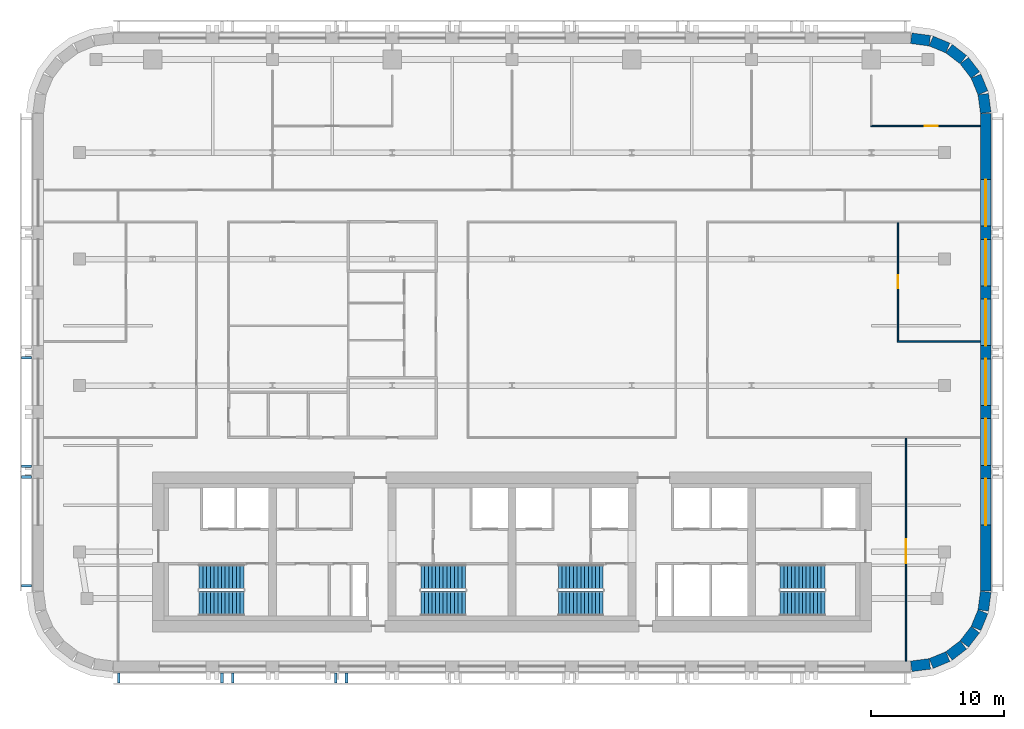
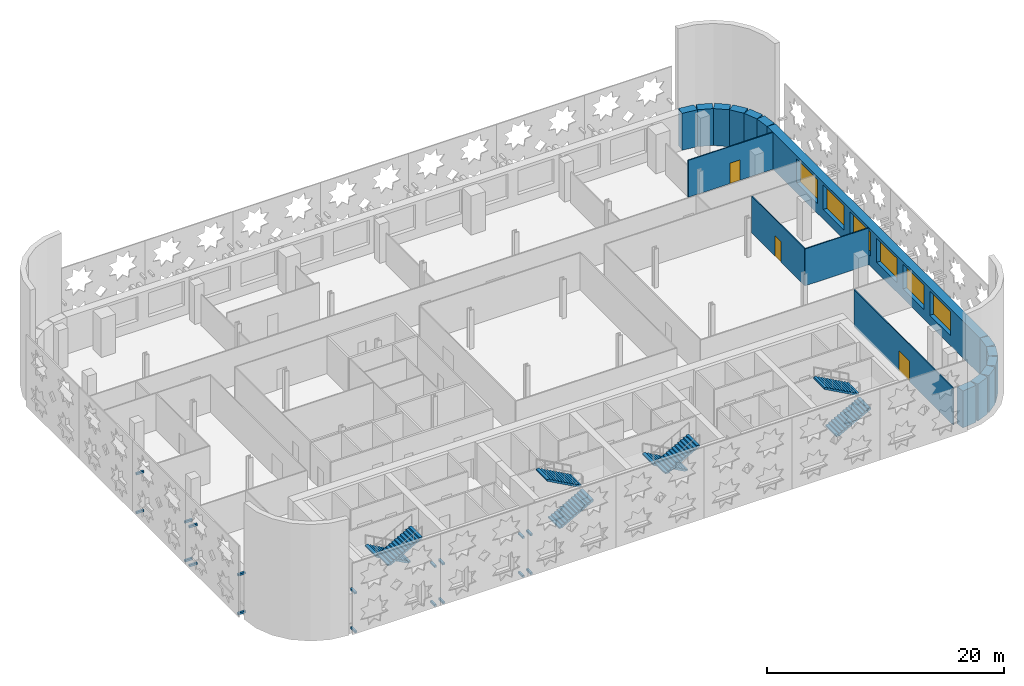
# One storey, part 8 of 14: 18 discrete accessories, 17 walls, 8 stair flights, 6 windows, 3 doors, 9 openings, 4 elements without a shape of their own.
"""IFC4 building model written with IfcOpenShell, lengths in metres."""

from ifc_helpers import new_model, si_unit, direction, frame, frame_2d, origin, origin_2d, place, context, subcontext, project, spatial, polyline, rectangle, outline, extrude, material, layer, layer_set, type_object, element, fill, aggregate, save


model = new_model("IFC4")

# Units and contexts
model_context = context("Model", 3, precision=1e-05, world=origin(), true_north=direction((0.0, 1.0)))
body_context = subcontext(model_context, "Body", "Model", "MODEL_VIEW")
ifc_project = project(units=[si_unit("LENGTHUNIT", "METRE"), si_unit("AREAUNIT", "SQUARE_METRE"), si_unit("VOLUMEUNIT", "CUBIC_METRE"), si_unit("PLANEANGLEUNIT", "RADIAN"), si_unit("MASSUNIT", "GRAM", prefix="KILO")], contexts=[model_context])

# Site, building, storey
site_placement = place(None, origin())
site = spatial("IfcSite", under=ifc_project, at=site_placement, CompositionType="ELEMENT")
building_placement = place(site_placement, origin())
building = spatial("IfcBuilding", under=site, at=building_placement, Name="Zellij Exchange Tower", CompositionType="ELEMENT")
storey_placement = place(building_placement, frame((0.0, 0.0, 164.5)))
storey = spatial("IfcBuildingStorey", under=building, at=storey_placement, Name="L37", CompositionType="ELEMENT", Elevation=164.5)

# Walls
ifc_material_1 = material(Name="Precast concrete C40/50", Category="concrete")
ifc_layer_1 = layer(ifc_material_1, 0.800048828125)
ifc_layer_set_1 = layer_set([ifc_layer_1], Name="Precast concrete C40/50")
wall_type_1 = type_object("IfcWallType", Name="ENV-EW1 Precast stone-piered wall 800", PredefinedType="SOLIDWALL", material=ifc_layer_set_1)
wall_1_placement = place(storey_placement, frame((29.999755859375, -16.5966796875, 0.0), z_axis=(0.0, 0.0, 1.0), x_axis=(0.99144603414, 0.130517283865, 0.0)))
element("IfcWall", 1, at=wall_1_placement, inside=storey, type_object=wall_type_1, Name="fac.L37.01", PredefinedType="SOLIDWALL", context=body_context, shape_type="SweptSolid", body=[
    extrude(rectangle(XDim=1.408447265625, YDim=0.800048828125, at=frame_2d((0.7041015625, 0.0))), origin(), (0.0, 0.0, 1.0), 3.800048828125),
])
wall_2_placement = place(storey_placement, frame((31.497314453125, -16.3857421875, 0.0), z_axis=(0.0, 0.0, 1.0), x_axis=(0.923847774587, 0.38276009378, 0.0)))
element("IfcWall", 2, at=wall_2_placement, inside=storey, type_object=wall_type_1, Name="fac.L37.02", PredefinedType="SOLIDWALL", context=body_context, shape_type="SweptSolid", body=[
    extrude(rectangle(XDim=1.35546875, YDim=0.800048828125, at=frame_2d((0.677734375, 0.0))), origin(), (0.0, 0.0, 1.0), 3.800048828125),
])
for number, where, z_axis, x_axis, name in (
    (3, (32.840087890625, -15.814697265625, 0.0), (0.0, 0.0, 1.0), (0.793272915452, 0.608866226366, 0.0), "fac.L37.03"),
    (4, (33.9892578125, -14.91552734375, 0.0), (0.0, 0.0, 1.0), (0.608866226366, 0.793272915452, 0.0), "fac.L37.04"),
):
    element("IfcWall", number, at=place(storey_placement, frame(where, z_axis=z_axis, x_axis=x_axis)), inside=storey, type_object=wall_type_1, Name=name, PredefinedType="SOLIDWALL", context=body_context, shape_type="SweptSolid", body=[
        extrude(rectangle(XDim=1.355712890625, YDim=0.800048828125, at=frame_2d((0.677734375, 0.0))), origin(), (0.0, 0.0, 1.0), 3.800048828125),
    ])
wall_3_placement = place(storey_placement, frame((34.866943359375, -13.74951171875, 0.0), z_axis=(0.0, 0.0, 1.0), x_axis=(0.38276009378, 0.923847774587, 0.0)))
element("IfcWall", 5, at=wall_3_placement, inside=storey, type_object=wall_type_1, Name="fac.L37.05", PredefinedType="SOLIDWALL", context=body_context, shape_type="SweptSolid", body=[
    extrude(rectangle(XDim=1.35546875, YDim=0.800048828125, at=frame_2d((0.677734375, 0.0))), origin(), (0.0, 0.0, 1.0), 3.800048828125),
])
wall_4_placement = place(storey_placement, frame((35.412841796875, -12.396240234375, 0.0), z_axis=(0.0, 0.0, 1.0), x_axis=(0.130517283865, 0.99144603414, 0.0)))
element("IfcWall", 6, at=wall_4_placement, inside=storey, type_object=wall_type_1, Name="fac.L37.06", PredefinedType="SOLIDWALL", context=body_context, shape_type="SweptSolid", body=[
    extrude(rectangle(XDim=1.408447265625, YDim=0.800048828125, at=frame_2d((0.7041015625, 0.0))), origin(), (0.0, 0.0, 1.0), 3.800048828125),
])

# Wall, openings, windows
wall_5_placement = place(storey_placement, frame((35.60009765625, -10.947509765625, 0.0), z_axis=(0.0, 0.0, 1.0), x_axis=(0.0, 1.0, 0.0)))
wall_5 = element("IfcWall", 7, at=wall_5_placement, inside=storey, type_object=wall_type_1, Name="fac.L37.07", PredefinedType="SOLIDWALL", context=body_context, shape_type="SweptSolid", body=[
    extrude(rectangle(XDim=35.89501953125, YDim=0.800048828125, at=frame_2d((17.947509765625, 0.0))), origin(), (0.0, 0.0, 1.0), 3.800048828125),
])
opening_1_placement = place(wall_5_placement, frame((4.9638671875, 0.0, 1.0)))
opening_1 = element("IfcOpeningElement", 8, at=opening_1_placement, cuts=wall_5, Name="Opening FZ3.13", PredefinedType="OPENING", context=body_context, shape_type="SweptSolid", body=[
    extrude(rectangle(XDim=3.5, YDim=2.5, at=frame_2d((1.75, 1.25))), frame((0.0, 0.412109375, 0.0), z_axis=(0.0, -1.0, 0.0), x_axis=(1.0, 0.0, 0.0)), (0.0, 0.0, 1.0), 0.823974609375),
])
opening_2_placement = place(wall_5_placement, frame((9.45751953125, 0.0, 1.0)))
opening_2 = element("IfcOpeningElement", 9, at=opening_2_placement, cuts=wall_5, Name="Opening FZ3.14", PredefinedType="OPENING", context=body_context, shape_type="SweptSolid", body=[
    extrude(rectangle(XDim=3.5, YDim=2.5, at=frame_2d((1.75, 1.25))), frame((0.0, 0.412109375, 0.0), z_axis=(0.0, -1.0, 0.0), x_axis=(1.0, 0.0, 0.0)), (0.0, 0.0, 1.0), 0.823974609375),
])
opening_3_placement = place(wall_5_placement, frame((13.950927734375, 0.0, 1.0)))
opening_3 = element("IfcOpeningElement", 10, at=opening_3_placement, cuts=wall_5, Name="Opening FZ3.15", PredefinedType="OPENING", context=body_context, shape_type="SweptSolid", body=[
    extrude(rectangle(XDim=3.5, YDim=2.5, at=frame_2d((1.75, 1.25))), frame((0.0, 0.412109375, 0.0), z_axis=(0.0, -1.0, 0.0), x_axis=(1.0, 0.0, 0.0)), (0.0, 0.0, 1.0), 0.823974609375),
])
opening_4_placement = place(wall_5_placement, frame((18.4443359375, 0.0, 1.0)))
opening_4 = element("IfcOpeningElement", 11, at=opening_4_placement, cuts=wall_5, Name="Opening FZ3.16", PredefinedType="OPENING", context=body_context, shape_type="SweptSolid", body=[
    extrude(rectangle(XDim=3.5, YDim=2.5, at=frame_2d((1.75, 1.25))), frame((0.0, 0.412109375, 0.0), z_axis=(0.0, -1.0, 0.0), x_axis=(1.0, 0.0, 0.0)), (0.0, 0.0, 1.0), 0.823974609375),
])
opening_5_placement = place(wall_5_placement, frame((22.937744140625, 0.0, 1.0)))
opening_5 = element("IfcOpeningElement", 12, at=opening_5_placement, cuts=wall_5, Name="Opening FZ3.17", PredefinedType="OPENING", context=body_context, shape_type="SweptSolid", body=[
    extrude(rectangle(XDim=3.5, YDim=2.5, at=frame_2d((1.75, 1.25))), frame((0.0, 0.412109375, 0.0), z_axis=(0.0, -1.0, 0.0), x_axis=(1.0, 0.0, 0.0)), (0.0, 0.0, 1.0), 0.823974609375),
])
opening_6_placement = place(wall_5_placement, frame((27.43115234375, 0.0, 1.0)))
opening_6 = element("IfcOpeningElement", 13, at=opening_6_placement, cuts=wall_5, Name="Opening FZ3.18", PredefinedType="OPENING", context=body_context, shape_type="SweptSolid", body=[
    extrude(rectangle(XDim=3.5, YDim=2.5, at=frame_2d((1.75, 1.25))), frame((0.0, 0.412109375, 0.0), z_axis=(0.0, -1.0, 0.0), x_axis=(1.0, 0.0, 0.0)), (0.0, 0.0, 1.0), 0.823974609375),
])
ifc_material_2 = material(Name="Aluminium frame with insulating glass", Category="aluminium")
window_type = type_object("IfcWindowType", Name="ENV-W1 Window 3500x2500", PartitioningType="SINGLE_PANEL", PredefinedType="WINDOW", material=ifc_material_2)
window_1_placement = place(opening_1_placement, origin())
window_1 = element("IfcWindow", 14, at=window_1_placement, inside=storey, type_object=window_type, Name="Window FZ3.13", OverallHeight=2.5, OverallWidth=3.5, PartitioningType="SINGLE_PANEL", PredefinedType="WINDOW", context=body_context, shape_type="SweptSolid", body=[
    extrude(rectangle(XDim=3.5, YDim=2.5, at=frame_2d((1.75, 1.25))), frame((0.0, 0.030029296875, 0.0), z_axis=(0.0, -1.0, 0.0), x_axis=(1.0, 0.0, 0.0)), (0.0, 0.0, 1.0), 0.06005859375),
])
fill(opening_1, window_1)
window_2_placement = place(opening_2_placement, origin())
window_2 = element("IfcWindow", 15, at=window_2_placement, inside=storey, type_object=window_type, Name="Window FZ3.14", OverallHeight=2.5, OverallWidth=3.5, PartitioningType="SINGLE_PANEL", PredefinedType="WINDOW", context=body_context, shape_type="SweptSolid", body=[
    extrude(rectangle(XDim=3.5, YDim=2.5, at=frame_2d((1.75, 1.25))), frame((0.0, 0.030029296875, 0.0), z_axis=(0.0, -1.0, 0.0), x_axis=(1.0, 0.0, 0.0)), (0.0, 0.0, 1.0), 0.06005859375),
])
fill(opening_2, window_2)
window_3_placement = place(opening_3_placement, origin())
window_3 = element("IfcWindow", 16, at=window_3_placement, inside=storey, type_object=window_type, Name="Window FZ3.15", OverallHeight=2.5, OverallWidth=3.5, PartitioningType="SINGLE_PANEL", PredefinedType="WINDOW", context=body_context, shape_type="SweptSolid", body=[
    extrude(rectangle(XDim=3.5, YDim=2.5, at=frame_2d((1.75, 1.25))), frame((0.0, 0.030029296875, 0.0), z_axis=(0.0, -1.0, 0.0), x_axis=(1.0, 0.0, 0.0)), (0.0, 0.0, 1.0), 0.06005859375),
])
fill(opening_3, window_3)
window_4_placement = place(opening_4_placement, origin())
window_4 = element("IfcWindow", 17, at=window_4_placement, inside=storey, type_object=window_type, Name="Window FZ3.16", OverallHeight=2.5, OverallWidth=3.5, PartitioningType="SINGLE_PANEL", PredefinedType="WINDOW", context=body_context, shape_type="SweptSolid", body=[
    extrude(rectangle(XDim=3.5, YDim=2.5, at=frame_2d((1.75, 1.25))), frame((0.0, 0.030029296875, 0.0), z_axis=(0.0, -1.0, 0.0), x_axis=(1.0, 0.0, 0.0)), (0.0, 0.0, 1.0), 0.06005859375),
])
fill(opening_4, window_4)
window_5_placement = place(opening_5_placement, origin())
window_5 = element("IfcWindow", 18, at=window_5_placement, inside=storey, type_object=window_type, Name="Window FZ3.17", OverallHeight=2.5, OverallWidth=3.5, PartitioningType="SINGLE_PANEL", PredefinedType="WINDOW", context=body_context, shape_type="SweptSolid", body=[
    extrude(rectangle(XDim=3.5, YDim=2.5, at=frame_2d((1.75, 1.25))), frame((0.0, 0.030029296875, 0.0), z_axis=(0.0, -1.0, 0.0), x_axis=(1.0, 0.0, 0.0)), (0.0, 0.0, 1.0), 0.06005859375),
])
fill(opening_5, window_5)
window_6_placement = place(opening_6_placement, origin())
window_6 = element("IfcWindow", 19, at=window_6_placement, inside=storey, type_object=window_type, Name="Window FZ3.18", OverallHeight=2.5, OverallWidth=3.5, PartitioningType="SINGLE_PANEL", PredefinedType="WINDOW", context=body_context, shape_type="SweptSolid", body=[
    extrude(rectangle(XDim=3.5, YDim=2.5, at=frame_2d((1.75, 1.25))), frame((0.0, 0.030029296875, 0.0), z_axis=(0.0, -1.0, 0.0), x_axis=(1.0, 0.0, 0.0)), (0.0, 0.0, 1.0), 0.06005859375),
])
fill(opening_6, window_6)

# Walls
wall_6_placement = place(storey_placement, frame((35.5966796875, 24.999755859375, 0.0), z_axis=(0.0, 0.0, 1.0), x_axis=(-0.130517283865, 0.99144603414, 0.0)))
element("IfcWall", 20, at=wall_6_placement, inside=storey, type_object=wall_type_1, Name="fac.L37.08", PredefinedType="SOLIDWALL", context=body_context, shape_type="SweptSolid", body=[
    extrude(rectangle(XDim=1.408447265625, YDim=0.800048828125, at=frame_2d((0.7041015625, 0.0))), origin(), (0.0, 0.0, 1.0), 3.800048828125),
])
wall_7_placement = place(storey_placement, frame((35.3857421875, 26.497314453125, 0.0), z_axis=(0.0, 0.0, 1.0), x_axis=(-0.38276009378, 0.923847774587, 0.0)))
element("IfcWall", 21, at=wall_7_placement, inside=storey, type_object=wall_type_1, Name="fac.L37.09", PredefinedType="SOLIDWALL", context=body_context, shape_type="SweptSolid", body=[
    extrude(rectangle(XDim=1.35546875, YDim=0.800048828125, at=frame_2d((0.677734375, 0.0))), origin(), (0.0, 0.0, 1.0), 3.800048828125),
])
for number, where, z_axis, x_axis, name in (
    (22, (34.814697265625, 27.840087890625, 0.0), (0.0, 0.0, 1.0), (-0.608866226366, 0.793272915452, 0.0), "fac.L37.10"),
    (23, (33.91552734375, 28.9892578125, 0.0), (0.0, 0.0, 1.0), (-0.793272915452, 0.608866226366, 0.0), "fac.L37.11"),
):
    element("IfcWall", number, at=place(storey_placement, frame(where, z_axis=z_axis, x_axis=x_axis)), inside=storey, type_object=wall_type_1, Name=name, PredefinedType="SOLIDWALL", context=body_context, shape_type="SweptSolid", body=[
        extrude(rectangle(XDim=1.355712890625, YDim=0.800048828125, at=frame_2d((0.677734375, 0.0))), origin(), (0.0, 0.0, 1.0), 3.800048828125),
    ])
wall_8_placement = place(storey_placement, frame((32.74951171875, 29.866943359375, 0.0), z_axis=(0.0, 0.0, 1.0), x_axis=(-0.923847774587, 0.38276009378, 0.0)))
element("IfcWall", 24, at=wall_8_placement, inside=storey, type_object=wall_type_1, Name="fac.L37.12", PredefinedType="SOLIDWALL", context=body_context, shape_type="SweptSolid", body=[
    extrude(rectangle(XDim=1.35546875, YDim=0.800048828125, at=frame_2d((0.677734375, 0.0))), origin(), (0.0, 0.0, 1.0), 3.800048828125),
])
wall_9_placement = place(storey_placement, frame((31.396240234375, 30.412841796875, 0.0), z_axis=(0.0, 0.0, 1.0), x_axis=(-0.99144603414, 0.130517283865, 0.0)))
element("IfcWall", 25, at=wall_9_placement, inside=storey, type_object=wall_type_1, Name="fac.L37.13", PredefinedType="SOLIDWALL", context=body_context, shape_type="SweptSolid", body=[
    extrude(rectangle(XDim=1.408447265625, YDim=0.800048828125, at=frame_2d((0.7041015625, 0.0))), origin(), (0.0, 0.0, 1.0), 3.800048828125),
])

# Wall, opening, door
ifc_material_3 = material(Name="Gypsum board partition on steel studs", Category="steel")
ifc_layer_2 = layer(ifc_material_3, 0.10009765625)
ifc_layer_set_2 = layer_set([ifc_layer_2], Name="Gypsum board partition on steel studs")
wall_type_2 = type_object("IfcWallType", Name="FIT-PARTITION-100", PredefinedType="PARTITIONING", material=ifc_layer_set_2)
wall_10_placement = place(storey_placement, frame((29.60009765625, -16.199951171875, 0.0), z_axis=(0.0, 0.0, 1.0), x_axis=(0.0, 1.0, 0.0)))
wall_10 = element("IfcWall", 26, at=wall_10_placement, inside=storey, type_object=wall_type_2, Name="FIT-PARTITION-100 002", PredefinedType="PARTITIONING", context=body_context, shape_type="SweptSolid", body=[
    extrude(rectangle(XDim=16.75, YDim=0.10009765625, at=frame_2d((8.375, 0.0))), origin(), (0.0, 0.0, 1.0), 3.800048828125),
])
opening_7_placement = place(wall_10_placement, frame((7.35009765625, 0.0, 0.0)))
opening_7 = element("IfcOpeningElement", 27, at=opening_7_placement, cuts=wall_10, Name="Opening O3A.02", PredefinedType="OPENING", context=body_context, shape_type="SweptSolid", body=[
    extrude(rectangle(XDim=1.800048828125, YDim=2.10009765625, at=frame_2d((0.89990234375, 1.050048828125))), frame((0.0, 0.06201171875, 0.0), z_axis=(0.0, -1.0, 0.0), x_axis=(1.0, 0.0, 0.0)), (0.0, 0.0, 1.0), 0.1240234375),
])
ifc_material_4 = material(Name="Timber door set", Category="wood")
door_type_1 = type_object("IfcDoorType", Name="FIT-D3-DOUBLE-1800X2100", OperationType="DOUBLE_DOOR_SINGLE_SWING", PredefinedType="DOOR", material=ifc_material_4)
door_1_placement = place(opening_7_placement, origin())
door_1 = element("IfcDoor", 28, at=door_1_placement, inside=storey, type_object=door_type_1, Name="Door O3A.02", OperationType="DOUBLE_DOOR_SINGLE_SWING", OverallHeight=2.10009765625, OverallWidth=1.800048828125, PredefinedType="DOOR", context=body_context, shape_type="SweptSolid", body=[
    extrude(rectangle(XDim=1.800048828125, YDim=2.10009765625, at=frame_2d((0.89990234375, 1.050048828125))), frame((0.0, 0.02490234375, 0.0), z_axis=(0.0, -1.0, 0.0), x_axis=(1.0, 0.0, 0.0)), (0.0, 0.0, 1.0), 0.050048828125),
])
fill(opening_7, door_1)

# Wall
wall_11_placement = place(storey_placement, frame((28.949951171875, 7.800048828125, 0.0), z_axis=(0.0, 0.0, 1.0), x_axis=(1.0, 0.0, 0.0)))
element("IfcWall", 29, at=wall_11_placement, inside=storey, type_object=wall_type_2, Name="FIT-PARTITION-100 026", PredefinedType="PARTITIONING", context=body_context, shape_type="SweptSolid", body=[
    extrude(rectangle(XDim=6.25, YDim=0.10009765625, at=frame_2d((3.125, 0.0))), origin(), (0.0, 0.0, 1.0), 3.800048828125),
])

# Wall, opening, door
wall_12_placement = place(storey_placement, frame((29.0, 7.85009765625, 0.0), z_axis=(0.0, 0.0, 1.0), x_axis=(0.0, 1.0, 0.0)))
wall_12 = element("IfcWall", 30, at=wall_12_placement, inside=storey, type_object=wall_type_2, Name="FIT-PARTITION-100 027", PredefinedType="PARTITIONING", context=body_context, shape_type="SweptSolid", body=[
    extrude(rectangle(XDim=8.89990234375, YDim=0.10009765625, at=frame_2d((4.449951171875, 0.0))), origin(), (0.0, 0.0, 1.0), 3.800048828125),
])
opening_8_placement = place(wall_12_placement, frame((3.949951171875, 0.0, 0.0)))
opening_8 = element("IfcOpeningElement", 31, at=opening_8_placement, cuts=wall_12, Name="Opening O3A.16", PredefinedType="OPENING", context=body_context, shape_type="SweptSolid", body=[
    extrude(rectangle(XDim=1.0, YDim=2.10009765625, at=frame_2d((0.5, 1.050048828125))), frame((0.0, 0.06201171875, 0.0), z_axis=(0.0, -1.0, 0.0), x_axis=(1.0, 0.0, 0.0)), (0.0, 0.0, 1.0), 0.1240234375),
])
door_type_2 = type_object("IfcDoorType", Name="FIT-D2-WIDE-1000X2100", OperationType="SINGLE_SWING_LEFT", PredefinedType="DOOR", material=ifc_material_4)
door_2_placement = place(opening_8_placement, origin())
door_2 = element("IfcDoor", 32, at=door_2_placement, inside=storey, type_object=door_type_2, Name="Door O3A.16", OperationType="SINGLE_SWING_RIGHT", OverallHeight=2.10009765625, OverallWidth=1.0, PredefinedType="DOOR", context=body_context, shape_type="SweptSolid", body=[
    extrude(rectangle(XDim=1.0, YDim=2.10009765625, at=frame_2d((0.5, 1.050048828125))), frame((0.0, 0.02490234375, 0.0), z_axis=(0.0, -1.0, 0.0), x_axis=(1.0, 0.0, 0.0)), (0.0, 0.0, 1.0), 0.050048828125),
])
fill(opening_8, door_2)

wall_13_placement = place(storey_placement, frame((26.949951171875, 24.0, 0.0), z_axis=(0.0, 0.0, 1.0), x_axis=(1.0, 0.0, 0.0)))
wall_13 = element("IfcWall", 33, at=wall_13_placement, inside=storey, type_object=wall_type_2, Name="FIT-PARTITION-100 050", PredefinedType="PARTITIONING", context=body_context, shape_type="SweptSolid", body=[
    extrude(rectangle(XDim=8.25, YDim=0.10009765625, at=frame_2d((4.125, 0.0))), origin(), (0.0, 0.0, 1.0), 3.800048828125),
])
opening_9_placement = place(wall_13_placement, frame((4.050048828125, 0.0, 0.0)))
opening_9 = element("IfcOpeningElement", 34, at=opening_9_placement, cuts=wall_13, Name="Opening O3A.24", PredefinedType="OPENING", context=body_context, shape_type="SweptSolid", body=[
    extrude(rectangle(XDim=1.0, YDim=2.10009765625, at=frame_2d((0.5, 1.050048828125))), frame((0.0, 0.06201171875, 0.0), z_axis=(0.0, -1.0, 0.0), x_axis=(1.0, 0.0, 0.0)), (0.0, 0.0, 1.0), 0.1240234375),
])
door_3_placement = place(opening_9_placement, origin())
door_3 = element("IfcDoor", 35, at=door_3_placement, inside=storey, type_object=door_type_2, Name="Door O3A.24", OperationType="SINGLE_SWING_LEFT", OverallHeight=2.10009765625, OverallWidth=1.0, PredefinedType="DOOR", context=body_context, shape_type="SweptSolid", body=[
    extrude(rectangle(XDim=1.0, YDim=2.10009765625, at=frame_2d((0.5, 1.050048828125))), frame((0.0, 0.02490234375, 0.0), z_axis=(0.0, -1.0, 0.0), x_axis=(1.0, 0.0, 0.0)), (0.0, 0.0, 1.0), 0.050048828125),
])
fill(opening_9, door_3)

# Stair, stair flights
ifc_material_5 = material(Name="Concrete C40/50", Category="concrete")
stair_type = type_object("IfcStairType", Name="CORE-ST exit stair 1850 wide", PredefinedType="HALF_TURN_STAIR", material=ifc_material_5)
stair_1_placement = place(storey_placement, origin())
stair_1 = element("IfcStair", 36, at=stair_1_placement, inside=storey, type_object=stair_type, Name="L37 exit stair ST1", PredefinedType="HALF_TURN_STAIR")
stair_flight_type = type_object("IfcStairFlightType", Name="CORE-SF flight 1850 riser 153.8 going 280", PredefinedType="STRAIGHT", material=ifc_material_5)
stair_flight_1_placement = place(storey_placement, frame((-20.14990234375, -9.875, 0.0), z_axis=(0.0, 0.0, 1.0), x_axis=(-1.0, 0.0, 0.0)))
stair_flight_1 = element("IfcStairFlight", 37, at=stair_flight_1_placement, type_object=stair_flight_type, Name="ST1 flight 1", NumberOfRisers=13, NumberOfTreads=12, PredefinedType="STRAIGHT", RiserHeight=0.153846154, TreadLength=0.28, context=body_context, shape_type="SweptSolid", body=[
    extrude(outline(polyline([(0.0, 0.0), (0.0, 0.15380859375), (0.280029296875, 0.15380859375), (0.280029296875, 0.3076171875), (0.56005859375, 0.3076171875), (0.56005859375, 0.46142578125), (0.840087890625, 0.46142578125), (0.840087890625, 0.615478515625), (1.1201171875, 0.615478515625), (1.1201171875, 0.769287109375), (1.39990234375, 0.769287109375), (1.39990234375, 0.923095703125), (1.679931640625, 0.923095703125), (1.679931640625, 1.076904296875), (1.9599609375, 1.076904296875), (1.9599609375, 1.230712890625), (2.239990234375, 1.230712890625), (2.239990234375, 1.384521484375), (2.52001953125, 1.384521484375), (2.52001953125, 1.53857421875), (2.800048828125, 1.53857421875), (2.800048828125, 1.6923828125), (3.080078125, 1.6923828125), (3.080078125, 1.84619140625), (3.360107421875, 1.84619140625), (3.360107421875, 2.0), (3.360107421875, 1.675048828125), (0.311279296875, 0.0), (0.0, 0.0)])), frame((0.0, 0.925048828125, 0.0), z_axis=(0.0, -1.0, 0.0), x_axis=(1.0, 0.0, 0.0)), (0.0, 0.0, 1.0), 1.85009765625),
])
stair_flight_2_placement = place(storey_placement, frame((-23.510009765625, -11.875, 2.0), z_axis=(0.0, 0.0, 1.0), x_axis=(1.0, 0.0, 0.0)))
stair_flight_2 = element("IfcStairFlight", 38, at=stair_flight_2_placement, type_object=stair_flight_type, Name="ST1 flight 2", NumberOfRisers=13, NumberOfTreads=12, PredefinedType="STRAIGHT", RiserHeight=0.153846154, TreadLength=0.28, context=body_context, shape_type="SweptSolid", body=[
    extrude(outline(polyline([(0.0, 0.0), (0.0, 0.15380859375), (0.280029296875, 0.15380859375), (0.280029296875, 0.3076171875), (0.56005859375, 0.3076171875), (0.56005859375, 0.46142578125), (0.840087890625, 0.46142578125), (0.840087890625, 0.615478515625), (1.1201171875, 0.615478515625), (1.1201171875, 0.769287109375), (1.39990234375, 0.769287109375), (1.39990234375, 0.923095703125), (1.679931640625, 0.923095703125), (1.679931640625, 1.076904296875), (1.9599609375, 1.076904296875), (1.9599609375, 1.230712890625), (2.239990234375, 1.230712890625), (2.239990234375, 1.384521484375), (2.52001953125, 1.384521484375), (2.52001953125, 1.53857421875), (2.800048828125, 1.53857421875), (2.800048828125, 1.6923828125), (3.080078125, 1.6923828125), (3.080078125, 1.84619140625), (3.360107421875, 1.84619140625), (3.360107421875, 2.0), (3.360107421875, 1.675048828125), (0.311279296875, 0.0), (0.0, 0.0)])), frame((0.0, 0.925048828125, 0.0), z_axis=(0.0, -1.0, 0.0), x_axis=(1.0, 0.0, 0.0)), (0.0, 0.0, 1.0), 1.85009765625),
])
aggregate(stair_1, [stair_flight_1, stair_flight_2])

stair_2_placement = place(storey_placement, origin())
stair_2 = element("IfcStair", 39, at=stair_2_placement, inside=storey, type_object=stair_type, Name="L37 exit stair ST2", PredefinedType="HALF_TURN_STAIR")
stair_flight_3_placement = place(storey_placement, frame((-6.85009765625, -11.875, 0.0), z_axis=(0.0, 0.0, 1.0), x_axis=(1.0, 0.0, 0.0)))
stair_flight_3 = element("IfcStairFlight", 40, at=stair_flight_3_placement, type_object=stair_flight_type, Name="ST2 flight 1", NumberOfRisers=13, NumberOfTreads=12, PredefinedType="STRAIGHT", RiserHeight=0.153846154, TreadLength=0.28, context=body_context, shape_type="SweptSolid", body=[
    extrude(outline(polyline([(0.0, 0.0), (0.0, 0.15380859375), (0.280029296875, 0.15380859375), (0.280029296875, 0.3076171875), (0.56005859375, 0.3076171875), (0.56005859375, 0.46142578125), (0.840087890625, 0.46142578125), (0.840087890625, 0.615478515625), (1.1201171875, 0.615478515625), (1.1201171875, 0.769287109375), (1.39990234375, 0.769287109375), (1.39990234375, 0.923095703125), (1.679931640625, 0.923095703125), (1.679931640625, 1.076904296875), (1.9599609375, 1.076904296875), (1.9599609375, 1.230712890625), (2.239990234375, 1.230712890625), (2.239990234375, 1.384521484375), (2.52001953125, 1.384521484375), (2.52001953125, 1.53857421875), (2.800048828125, 1.53857421875), (2.800048828125, 1.6923828125), (3.080078125, 1.6923828125), (3.080078125, 1.84619140625), (3.360107421875, 1.84619140625), (3.360107421875, 2.0), (3.360107421875, 1.675048828125), (0.311279296875, 0.0), (0.0, 0.0)])), frame((0.0, 0.925048828125, 0.0), z_axis=(0.0, -1.0, 0.0), x_axis=(1.0, 0.0, 0.0)), (0.0, 0.0, 1.0), 1.85009765625),
])
stair_flight_4_placement = place(storey_placement, frame((-3.489990234375, -9.875, 2.0), z_axis=(0.0, 0.0, 1.0), x_axis=(-1.0, 0.0, 0.0)))
stair_flight_4 = element("IfcStairFlight", 41, at=stair_flight_4_placement, type_object=stair_flight_type, Name="ST2 flight 2", NumberOfRisers=13, NumberOfTreads=12, PredefinedType="STRAIGHT", RiserHeight=0.153846154, TreadLength=0.28, context=body_context, shape_type="SweptSolid", body=[
    extrude(outline(polyline([(0.0, 0.0), (0.0, 0.15380859375), (0.280029296875, 0.15380859375), (0.280029296875, 0.3076171875), (0.56005859375, 0.3076171875), (0.56005859375, 0.46142578125), (0.840087890625, 0.46142578125), (0.840087890625, 0.615478515625), (1.1201171875, 0.615478515625), (1.1201171875, 0.769287109375), (1.39990234375, 0.769287109375), (1.39990234375, 0.923095703125), (1.679931640625, 0.923095703125), (1.679931640625, 1.076904296875), (1.9599609375, 1.076904296875), (1.9599609375, 1.230712890625), (2.239990234375, 1.230712890625), (2.239990234375, 1.384521484375), (2.52001953125, 1.384521484375), (2.52001953125, 1.53857421875), (2.800048828125, 1.53857421875), (2.800048828125, 1.6923828125), (3.080078125, 1.6923828125), (3.080078125, 1.84619140625), (3.360107421875, 1.84619140625), (3.360107421875, 2.0), (3.360107421875, 1.675048828125), (0.311279296875, 0.0), (0.0, 0.0)])), frame((0.0, 0.925048828125, 0.0), z_axis=(0.0, -1.0, 0.0), x_axis=(1.0, 0.0, 0.0)), (0.0, 0.0, 1.0), 1.85009765625),
])
aggregate(stair_2, [stair_flight_3, stair_flight_4])

stair_3_placement = place(storey_placement, origin())
stair_3 = element("IfcStair", 42, at=stair_3_placement, inside=storey, type_object=stair_type, Name="L37 exit stair ST3", PredefinedType="HALF_TURN_STAIR")
stair_flight_5_placement = place(storey_placement, frame((6.85009765625, -9.875, 0.0), z_axis=(0.0, 0.0, 1.0), x_axis=(-1.0, 0.0, 0.0)))
stair_flight_5 = element("IfcStairFlight", 43, at=stair_flight_5_placement, type_object=stair_flight_type, Name="ST3 flight 1", NumberOfRisers=13, NumberOfTreads=12, PredefinedType="STRAIGHT", RiserHeight=0.153846154, TreadLength=0.28, context=body_context, shape_type="SweptSolid", body=[
    extrude(outline(polyline([(0.0, 0.0), (0.0, 0.15380859375), (0.280029296875, 0.15380859375), (0.280029296875, 0.3076171875), (0.56005859375, 0.3076171875), (0.56005859375, 0.46142578125), (0.840087890625, 0.46142578125), (0.840087890625, 0.615478515625), (1.1201171875, 0.615478515625), (1.1201171875, 0.769287109375), (1.39990234375, 0.769287109375), (1.39990234375, 0.923095703125), (1.679931640625, 0.923095703125), (1.679931640625, 1.076904296875), (1.9599609375, 1.076904296875), (1.9599609375, 1.230712890625), (2.239990234375, 1.230712890625), (2.239990234375, 1.384521484375), (2.52001953125, 1.384521484375), (2.52001953125, 1.53857421875), (2.800048828125, 1.53857421875), (2.800048828125, 1.6923828125), (3.080078125, 1.6923828125), (3.080078125, 1.84619140625), (3.360107421875, 1.84619140625), (3.360107421875, 2.0), (3.360107421875, 1.675048828125), (0.311279296875, 0.0), (0.0, 0.0)])), frame((0.0, 0.925048828125, 0.0), z_axis=(0.0, -1.0, 0.0), x_axis=(1.0, 0.0, 0.0)), (0.0, 0.0, 1.0), 1.85009765625),
])
stair_flight_6_placement = place(storey_placement, frame((3.489990234375, -11.875, 2.0), z_axis=(0.0, 0.0, 1.0), x_axis=(1.0, 0.0, 0.0)))
stair_flight_6 = element("IfcStairFlight", 44, at=stair_flight_6_placement, type_object=stair_flight_type, Name="ST3 flight 2", NumberOfRisers=13, NumberOfTreads=12, PredefinedType="STRAIGHT", RiserHeight=0.153846154, TreadLength=0.28, context=body_context, shape_type="SweptSolid", body=[
    extrude(outline(polyline([(0.0, 0.0), (0.0, 0.15380859375), (0.280029296875, 0.15380859375), (0.280029296875, 0.3076171875), (0.56005859375, 0.3076171875), (0.56005859375, 0.46142578125), (0.840087890625, 0.46142578125), (0.840087890625, 0.615478515625), (1.1201171875, 0.615478515625), (1.1201171875, 0.769287109375), (1.39990234375, 0.769287109375), (1.39990234375, 0.923095703125), (1.679931640625, 0.923095703125), (1.679931640625, 1.076904296875), (1.9599609375, 1.076904296875), (1.9599609375, 1.230712890625), (2.239990234375, 1.230712890625), (2.239990234375, 1.384521484375), (2.52001953125, 1.384521484375), (2.52001953125, 1.53857421875), (2.800048828125, 1.53857421875), (2.800048828125, 1.6923828125), (3.080078125, 1.6923828125), (3.080078125, 1.84619140625), (3.360107421875, 1.84619140625), (3.360107421875, 2.0), (3.360107421875, 1.675048828125), (0.311279296875, 0.0), (0.0, 0.0)])), frame((0.0, 0.925048828125, 0.0), z_axis=(0.0, -1.0, 0.0), x_axis=(1.0, 0.0, 0.0)), (0.0, 0.0, 1.0), 1.85009765625),
])
aggregate(stair_3, [stair_flight_5, stair_flight_6])

stair_4_placement = place(storey_placement, origin())
stair_4 = element("IfcStair", 45, at=stair_4_placement, inside=storey, type_object=stair_type, Name="L37 exit stair ST4", PredefinedType="HALF_TURN_STAIR")
stair_flight_7_placement = place(storey_placement, frame((20.14990234375, -11.875, 0.0), z_axis=(0.0, 0.0, 1.0), x_axis=(1.0, 0.0, 0.0)))
stair_flight_7 = element("IfcStairFlight", 46, at=stair_flight_7_placement, type_object=stair_flight_type, Name="ST4 flight 1", NumberOfRisers=13, NumberOfTreads=12, PredefinedType="STRAIGHT", RiserHeight=0.153846154, TreadLength=0.28, context=body_context, shape_type="SweptSolid", body=[
    extrude(outline(polyline([(0.0, 0.0), (0.0, 0.15380859375), (0.280029296875, 0.15380859375), (0.280029296875, 0.3076171875), (0.56005859375, 0.3076171875), (0.56005859375, 0.46142578125), (0.840087890625, 0.46142578125), (0.840087890625, 0.615478515625), (1.1201171875, 0.615478515625), (1.1201171875, 0.769287109375), (1.39990234375, 0.769287109375), (1.39990234375, 0.923095703125), (1.679931640625, 0.923095703125), (1.679931640625, 1.076904296875), (1.9599609375, 1.076904296875), (1.9599609375, 1.230712890625), (2.239990234375, 1.230712890625), (2.239990234375, 1.384521484375), (2.52001953125, 1.384521484375), (2.52001953125, 1.53857421875), (2.800048828125, 1.53857421875), (2.800048828125, 1.6923828125), (3.080078125, 1.6923828125), (3.080078125, 1.84619140625), (3.360107421875, 1.84619140625), (3.360107421875, 2.0), (3.360107421875, 1.675048828125), (0.311279296875, 0.0), (0.0, 0.0)])), frame((0.0, 0.925048828125, 0.0), z_axis=(0.0, -1.0, 0.0), x_axis=(1.0, 0.0, 0.0)), (0.0, 0.0, 1.0), 1.85009765625),
])
stair_flight_8_placement = place(storey_placement, frame((23.510009765625, -9.875, 2.0), z_axis=(0.0, 0.0, 1.0), x_axis=(-1.0, 0.0, 0.0)))
stair_flight_8 = element("IfcStairFlight", 47, at=stair_flight_8_placement, type_object=stair_flight_type, Name="ST4 flight 2", NumberOfRisers=13, NumberOfTreads=12, PredefinedType="STRAIGHT", RiserHeight=0.153846154, TreadLength=0.28, context=body_context, shape_type="SweptSolid", body=[
    extrude(outline(polyline([(0.0, 0.0), (0.0, 0.15380859375), (0.280029296875, 0.15380859375), (0.280029296875, 0.3076171875), (0.56005859375, 0.3076171875), (0.56005859375, 0.46142578125), (0.840087890625, 0.46142578125), (0.840087890625, 0.615478515625), (1.1201171875, 0.615478515625), (1.1201171875, 0.769287109375), (1.39990234375, 0.769287109375), (1.39990234375, 0.923095703125), (1.679931640625, 0.923095703125), (1.679931640625, 1.076904296875), (1.9599609375, 1.076904296875), (1.9599609375, 1.230712890625), (2.239990234375, 1.230712890625), (2.239990234375, 1.384521484375), (2.52001953125, 1.384521484375), (2.52001953125, 1.53857421875), (2.800048828125, 1.53857421875), (2.800048828125, 1.6923828125), (3.080078125, 1.6923828125), (3.080078125, 1.84619140625), (3.360107421875, 1.84619140625), (3.360107421875, 2.0), (3.360107421875, 1.675048828125), (0.311279296875, 0.0), (0.0, 0.0)])), frame((0.0, 0.925048828125, 0.0), z_axis=(0.0, -1.0, 0.0), x_axis=(1.0, 0.0, 0.0)), (0.0, 0.0, 1.0), 1.85009765625),
])
aggregate(stair_4, [stair_flight_7, stair_flight_8])

# Discrete accessories
ifc_material_6 = material(Name="Stainless steel", Category="steel")
discrete_accessory_type = type_object("IfcDiscreteAccessoryType", Name="ENV-BR1 Stone panel bracket 200", PredefinedType="USERDEFINED", material=ifc_material_6)
for number, where, z_axis, x_axis, name in (
    (48, (-36.47509765625, 6.60009765625, 0.2998046875), (0.0, 0.0, 1.0), (0.0, -1.0, 0.0), "Panel bracket"),
    (49, (-36.47509765625, -1.57373046875, 0.2998046875), (0.0, 0.0, 1.0), (0.0, -1.0, 0.0), "Panel bracket"),
    (50, (-36.47509765625, 6.60009765625, 4.2998046875), (0.0, 0.0, 1.0), (0.0, -1.0, 0.0), "Panel bracket"),
    (51, (-36.47509765625, -1.57373046875, 4.2998046875), (0.0, 0.0, 1.0), (0.0, -1.0, 0.0), "Panel bracket"),
    (52, (-36.47509765625, -2.373779296875, 0.2998046875), (0.0, 0.0, 1.0), (0.0, -1.0, 0.0), "Panel bracket"),
    (53, (-36.47509765625, -10.547607421875, 0.2998046875), (0.0, 0.0, 1.0), (0.0, -1.0, 0.0), "Panel bracket"),
    (54, (-36.47509765625, -2.373779296875, 4.2998046875), (0.0, 0.0, 1.0), (0.0, -1.0, 0.0), "Panel bracket"),
    (55, (-36.47509765625, -10.547607421875, 4.2998046875), (0.0, 0.0, 1.0), (0.0, -1.0, 0.0), "Panel bracket"),
    (56, (-29.547607421875, -17.47509765625, 0.2998046875), (0.0, 0.0, 1.0), (1.0, 0.0, 0.0), "Panel bracket"),
    (57, (-21.791015625, -17.47509765625, 0.2998046875), (0.0, 0.0, 1.0), (1.0, 0.0, 0.0), "Panel bracket"),
    (58, (-29.547607421875, -17.47509765625, 4.2998046875), (0.0, 0.0, 1.0), (1.0, 0.0, 0.0), "Panel bracket"),
    (59, (-21.791015625, -17.47509765625, 4.2998046875), (0.0, 0.0, 1.0), (1.0, 0.0, 0.0), "Panel bracket"),
    (60, (-20.9912109375, -17.47509765625, 0.2998046875), (0.0, 0.0, 1.0), (1.0, 0.0, 0.0), "Panel bracket"),
    (61, (-13.234619140625, -17.47509765625, 0.2998046875), (0.0, 0.0, 1.0), (1.0, 0.0, 0.0), "Panel bracket"),
    (62, (-20.9912109375, -17.47509765625, 4.2998046875), (0.0, 0.0, 1.0), (1.0, 0.0, 0.0), "Panel bracket"),
    (63, (-13.234619140625, -17.47509765625, 4.2998046875), (0.0, 0.0, 1.0), (1.0, 0.0, 0.0), "Panel bracket"),
    (64, (-12.434814453125, -17.47509765625, 0.2998046875), (0.0, 0.0, 1.0), (1.0, 0.0, 0.0), "Panel bracket"),
    (65, (-12.434814453125, -17.47509765625, 4.2998046875), (0.0, 0.0, 1.0), (1.0, 0.0, 0.0), "Panel bracket"),
):
    element("IfcDiscreteAccessory", number, at=place(storey_placement, frame(where, z_axis=z_axis, x_axis=x_axis)), inside=storey, type_object=discrete_accessory_type, Name=name, ObjectType="BRACKET", PredefinedType="USERDEFINED", context=body_context, shape_type="SweptSolid", body=[
        extrude(rectangle(XDim=0.199951171875, YDim=0.75, at=origin_2d()), origin(), (0.0, 0.0, 1.0), 0.199951171875),
    ])

save(model, "model.ifc")
